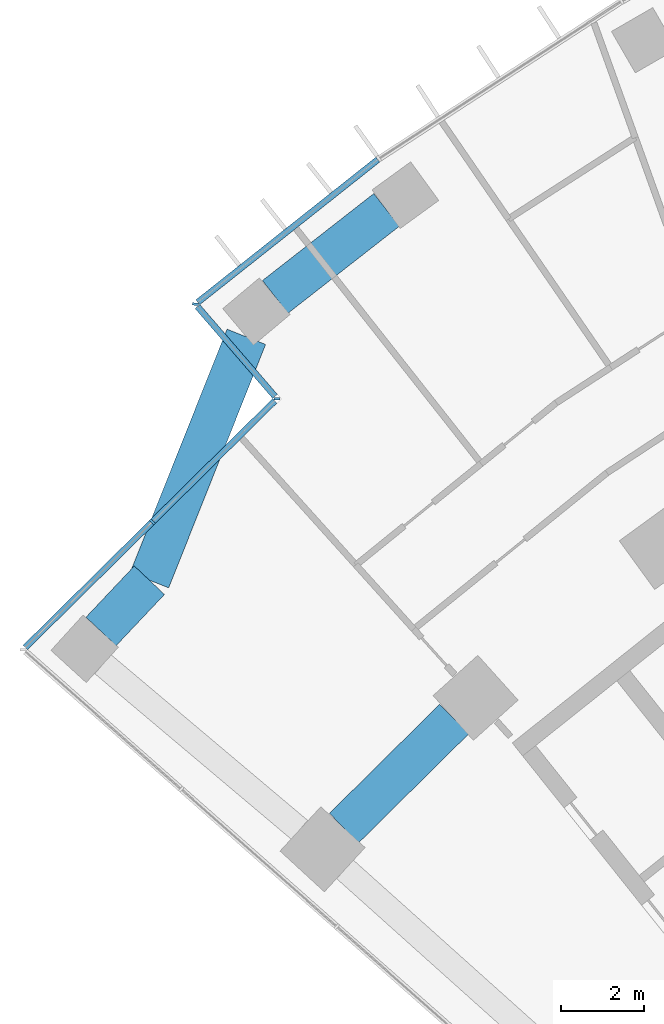
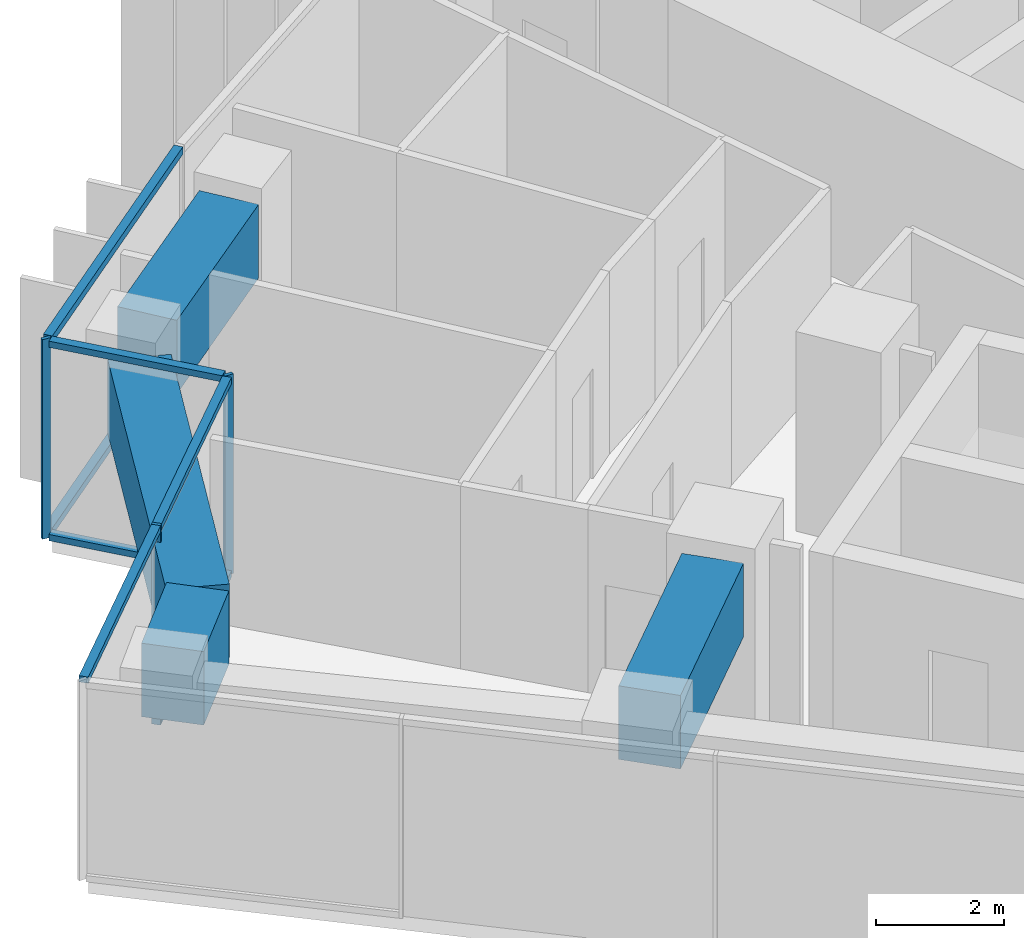
# One storey, part 3 of 22: 10 members, 4 beams, 3 elements without a shape of their own.
"""IFC4 building model written with IfcOpenShell, lengths in metres."""

from ifc_helpers import new_model, si_unit, direction, frame, origin, origin_2d, place, context, subcontext, project, spatial, rectangle, extrude, material, layer, layer_set, material_profile, profile_set, type_object, element, aggregate, save


model = new_model("IFC4")

# Units and contexts
model_context = context("Model", 3, precision=1e-05, world=origin(), true_north=direction((0.0, 1.0)))
body_context = subcontext(model_context, "Body", "Model", "MODEL_VIEW")
ifc_project = project(units=[si_unit("LENGTHUNIT", "METRE"), si_unit("AREAUNIT", "SQUARE_METRE"), si_unit("VOLUMEUNIT", "CUBIC_METRE"), si_unit("PLANEANGLEUNIT", "RADIAN"), si_unit("MASSUNIT", "GRAM", prefix="KILO")], contexts=[model_context])

# Site, building, storey
site_placement = place(None, origin())
site = spatial("IfcSite", under=ifc_project, at=site_placement, CompositionType="ELEMENT")
building_placement = place(site_placement, origin())
building = spatial("IfcBuilding", under=site, at=building_placement, Name="Stone Belt Terrace Tower", CompositionType="ELEMENT")
storey_placement = place(building_placement, frame((0.0, 0.0, 121.199951171875)))
storey = spatial("IfcBuildingStorey", under=building, at=storey_placement, Name="L29", CompositionType="ELEMENT", Elevation=121.199951171875)

# Curtain wall, members
ifc_material_1 = material(Name="Aluminium 6063-T6 anodised frame", Category="aluminium")
ifc_layer_1 = layer(ifc_material_1, 0.14990234375)
ifc_layer_set_1 = layer_set([ifc_layer_1], Name="CW-A unitised convex-face curtain wall")
curtain_wall_type_1 = type_object("IfcCurtainWallType", Name="CW-A unitised convex-face curtain wall", PredefinedType="NOTDEFINED", material=ifc_layer_set_1)
curtain_wall_1_placement = place(storey_placement, origin())
curtain_wall_1 = element("IfcCurtainWall", 1, at=curtain_wall_1_placement, inside=storey, type_object=curtain_wall_type_1, Name="CW-A convex face L29", PredefinedType="NOTDEFINED")
ifc_material_profile_1 = material_profile(ifc_material_1, rectangle(XDim=0.14990234375, YDim=0.139892578125, at=origin_2d()), Name="Aluminium 6063-T6 150x140")
ifc_profile_set_1 = profile_set([ifc_material_profile_1], Name="Aluminium 6063-T6 anodised frame")
member_type_1 = type_object("IfcMemberType", Name="CW-A transom 140 x 150", PredefinedType="USERDEFINED", material=ifc_profile_set_1)
member_1_placement = place(storey_placement, frame((-39.15771484375, 53.83984375, 0.070068359375), z_axis=(-0.783745065906, -0.621082660898, 0.0), x_axis=(0.621082660898, -0.783745065906, 0.0)))
member_1 = element("IfcMember", 2, at=member_1_placement, type_object=member_type_1, Name="CW-A transom 16.1", ObjectType="TRANSOM", PredefinedType="USERDEFINED", context=body_context, shape_type="SweptSolid", body=[
    extrude(rectangle(XDim=0.14990234375, YDim=0.139892578125, at=origin_2d()), origin(), (0.0, 0.0, 1.0), 5.5322265625),
])
member_2_placement = place(storey_placement, frame((-39.15771484375, 53.83984375, 3.72998046875), z_axis=(-0.783745065906, -0.621082660898, 0.0), x_axis=(0.621082660898, -0.783745065906, 0.0)))
member_2 = element("IfcMember", 3, at=member_2_placement, type_object=member_type_1, Name="CW-A transom 16.2", ObjectType="TRANSOM", PredefinedType="USERDEFINED", context=body_context, shape_type="SweptSolid", body=[
    extrude(rectangle(XDim=0.14990234375, YDim=0.139892578125, at=origin_2d()), origin(), (0.0, 0.0, 1.0), 5.5322265625),
])
aggregate(curtain_wall_1, [member_1, member_2])

# Curtain wall, member
ifc_layer_2 = layer(ifc_material_1, 0.14990234375)
ifc_layer_set_2 = layer_set([ifc_layer_2], Name="CW-C stick curtain wall, horn ends and notches")
curtain_wall_type_2 = type_object("IfcCurtainWallType", Name="CW-C stick curtain wall, horn ends and notches", PredefinedType="NOTDEFINED", material=ifc_layer_set_2)
curtain_wall_2_placement = place(storey_placement, origin())
curtain_wall_2 = element("IfcCurtainWall", 4, at=curtain_wall_2_placement, inside=storey, type_object=curtain_wall_type_2, Name="CW-C notch face L29", PredefinedType="NOTDEFINED")
ifc_material_profile_2 = material_profile(ifc_material_1, rectangle(XDim=0.14990234375, YDim=0.06005859375, at=origin_2d()), Name="Aluminium 6063-T6 60x150")
ifc_profile_set_2 = profile_set([ifc_material_profile_2], Name="Aluminium 6063-T6 anodised frame")
member_type_2 = type_object("IfcMemberType", Name="CW-C mullion 60 x 150", PredefinedType="MULLION", material=ifc_profile_set_2)
member_3_placement = place(storey_placement, frame((-43.55224609375, 50.357421875, 0.0), z_axis=(0.0, 0.0, 1.0), x_axis=(0.995550667731, -0.094227745281, 0.0)))
member_3 = element("IfcMember", 5, at=member_3_placement, type_object=member_type_2, Name="CW-C mullion 1", PredefinedType="MULLION", context=body_context, shape_type="SweptSolid", body=[
    extrude(rectangle(XDim=0.14990234375, YDim=0.06005859375, at=origin_2d()), origin(), (0.0, 0.0, 1.0), 3.800048828125),
])

# Curtain wall, members
curtain_wall_3_placement = place(storey_placement, origin())
curtain_wall_3 = element("IfcCurtainWall", 6, at=curtain_wall_3_placement, inside=storey, type_object=curtain_wall_type_2, Name="CW-C notch face L29", PredefinedType="NOTDEFINED")
member_4_placement = place(storey_placement, frame((-41.587158203125, 48.079833984375, 0.0), z_axis=(0.0, 0.0, 1.0), x_axis=(0.999214866192, -0.039618823574, 0.0)))
member_4 = element("IfcMember", 7, at=member_4_placement, type_object=member_type_2, Name="CW-C mullion 1", PredefinedType="MULLION", context=body_context, shape_type="SweptSolid", body=[
    extrude(rectangle(XDim=0.14990234375, YDim=0.06005859375, at=origin_2d()), origin(), (0.0, 0.0, 1.0), 3.800048828125),
])
member_5_placement = place(storey_placement, frame((-44.5908203125, 45.110595703125, 0.0), z_axis=(0.0, 0.0, 1.0), x_axis=(0.702997525353, -0.711192294213, 0.0)))
member_5 = element("IfcMember", 8, at=member_5_placement, type_object=member_type_2, Name="CW-C mullion 2", PredefinedType="MULLION", context=body_context, shape_type="SweptSolid", body=[
    extrude(rectangle(XDim=0.14990234375, YDim=0.06005859375, at=origin_2d()), origin(), (0.0, 0.0, 1.0), 3.800048828125),
])

# Member
ifc_material_profile_3 = material_profile(ifc_material_1, rectangle(XDim=0.14990234375, YDim=0.1201171875, at=origin_2d()), Name="Aluminium 6063-T6 150x120")
ifc_profile_set_3 = profile_set([ifc_material_profile_3], Name="Aluminium 6063-T6 anodised frame")
member_type_3 = type_object("IfcMemberType", Name="CW-C transom 120 x 150", PredefinedType="USERDEFINED", material=ifc_profile_set_3)
member_6_placement = place(storey_placement, frame((-43.50341796875, 50.300537109375, 0.06005859375), z_axis=(0.653346473244, -0.757059037262, 0.0), x_axis=(0.757059037262, 0.653346473244, 0.0)))
member_6 = element("IfcMember", 9, at=member_6_placement, type_object=member_type_3, Name="CW-C transom 1.1", ObjectType="TRANSOM", PredefinedType="USERDEFINED", context=body_context, shape_type="SweptSolid", body=[
    extrude(rectangle(XDim=0.14990234375, YDim=0.1201171875, at=origin_2d()), origin(), (0.0, 0.0, 1.0), 2.860107421875),
])

member_7_placement = place(storey_placement, frame((-43.50341796875, 50.300537109375, 3.739990234375), z_axis=(0.653346473244, -0.757059037262, 0.0), x_axis=(0.757059037262, 0.653346473244, 0.0)))
member_7 = element("IfcMember", 10, at=member_7_placement, type_object=member_type_3, Name="CW-C transom 1.2", ObjectType="TRANSOM", PredefinedType="USERDEFINED", context=body_context, shape_type="SweptSolid", body=[
    extrude(rectangle(XDim=0.14990234375, YDim=0.1201171875, at=origin_2d()), origin(), (0.0, 0.0, 1.0), 2.860107421875),
])

aggregate(curtain_wall_2, [member_3, member_6, member_7])

member_8_placement = place(storey_placement, frame((-41.63916015625, 48.028564453125, 0.06005859375), z_axis=(-0.711183244055, -0.703006680889, 0.0), x_axis=(0.703006680889, -0.711183244055, 0.0)))
member_8 = element("IfcMember", 11, at=member_8_placement, type_object=member_type_3, Name="CW-C transom 1.1", ObjectType="TRANSOM", PredefinedType="USERDEFINED", context=body_context, shape_type="SweptSolid", body=[
    extrude(rectangle(XDim=0.14990234375, YDim=0.1201171875, at=origin_2d()), origin(), (0.0, 0.0, 1.0), 4.12060546875),
])

member_9_placement = place(storey_placement, frame((-41.63916015625, 48.028564453125, 3.739990234375), z_axis=(-0.711183244055, -0.703006680889, 0.0), x_axis=(0.703006680889, -0.711183244055, 0.0)))
member_9 = element("IfcMember", 12, at=member_9_placement, type_object=member_type_3, Name="CW-C transom 1.2", ObjectType="TRANSOM", PredefinedType="USERDEFINED", context=body_context, shape_type="SweptSolid", body=[
    extrude(rectangle(XDim=0.14990234375, YDim=0.1201171875, at=origin_2d()), origin(), (0.0, 0.0, 1.0), 4.12060546875),
])

member_10_placement = place(storey_placement, frame((-44.6123046875, 45.089599609375, 3.739990234375), z_axis=(-0.711184194573, -0.703005719315, 0.0), x_axis=(0.703005719315, -0.711184194573, 0.0)))
member_10 = element("IfcMember", 13, at=member_10_placement, type_object=member_type_3, Name="CW-C transom 2.1", ObjectType="TRANSOM", PredefinedType="USERDEFINED", context=body_context, shape_type="SweptSolid", body=[
    extrude(rectangle(XDim=0.14990234375, YDim=0.1201171875, at=origin_2d()), origin(), (0.0, 0.0, 1.0), 4.268798828125),
])

aggregate(curtain_wall_3, [member_4, member_5, member_8, member_9, member_10])

# Beams
ifc_material_2 = material(Name="Concrete B80", Category="concrete")
ifc_material_profile_4 = material_profile(ifc_material_2, rectangle(XDim=1.0, YDim=1.39990234375, at=origin_2d()), Name="RC 1000x1400")
ifc_profile_set_4 = profile_set([ifc_material_profile_4], Name="Concrete B80")
beam_type = type_object("IfcBeamType", Name="Transfer beam RC 1000x1400 B80", PredefinedType="BEAM", material=ifc_profile_set_4)
beam_1_placement = place(storey_placement, frame((-39.972412109375, 37.735595703125, 2.780029296875), z_axis=(0.710790997086, 0.703403268731, 0.0), x_axis=(-0.703403268731, 0.710790997086, 0.0)))
element("IfcBeam", 14, at=beam_1_placement, inside=storey, type_object=beam_type, Name="Transfer beam L29 QQA-Q15", PredefinedType="BEAM", context=body_context, shape_type="SweptSolid", body=[
    extrude(rectangle(XDim=1.0, YDim=1.39990234375, at=origin_2d()), origin(), (0.0, 0.0, 1.0), 3.734375),
])
beam_2_placement = place(storey_placement, frame((-45.8251953125, 42.472900390625, 2.780029296875), z_axis=(0.686382702335, 0.727240528254, 0.0), x_axis=(-0.727240528254, 0.686382702335, 0.0)))
element("IfcBeam", 15, at=beam_2_placement, inside=storey, type_object=beam_type, Name="Transfer beam L29 RRA-RA", PredefinedType="BEAM", context=body_context, shape_type="SweptSolid", body=[
    extrude(rectangle(XDim=1.0, YDim=1.39990234375, at=origin_2d()), origin(), (0.0, 0.0, 1.0), 1.697021484375),
])
beam_3_placement = place(storey_placement, frame((-44.660400390625, 43.70703125, 2.780029296875), z_axis=(0.370036536556, 0.929017202001, 0.0), x_axis=(-0.929017202001, 0.370036536556, 0.0)))
element("IfcBeam", 16, at=beam_3_placement, inside=storey, type_object=beam_type, Name="Transfer beam L29 RRA-RNA", PredefinedType="BEAM", context=body_context, shape_type="SweptSolid", body=[
    extrude(rectangle(XDim=1.0, YDim=1.39990234375, at=origin_2d()), origin(), (0.0, 0.0, 1.0), 6.31201171875),
])
beam_4_placement = place(storey_placement, frame((-41.629638671875, 50.531982421875, 2.780029296875), z_axis=(0.788099390327, 0.615548008661, 0.0), x_axis=(-0.615548008661, 0.788099390327, 0.0)))
element("IfcBeam", 17, at=beam_4_placement, inside=storey, type_object=beam_type, Name="Transfer beam L29 RRNA-R16", PredefinedType="BEAM", context=body_context, shape_type="SweptSolid", body=[
    extrude(rectangle(XDim=1.0, YDim=1.39990234375, at=origin_2d()), origin(), (0.0, 0.0, 1.0), 3.404296875),
])

save(model, "model.ifc")
